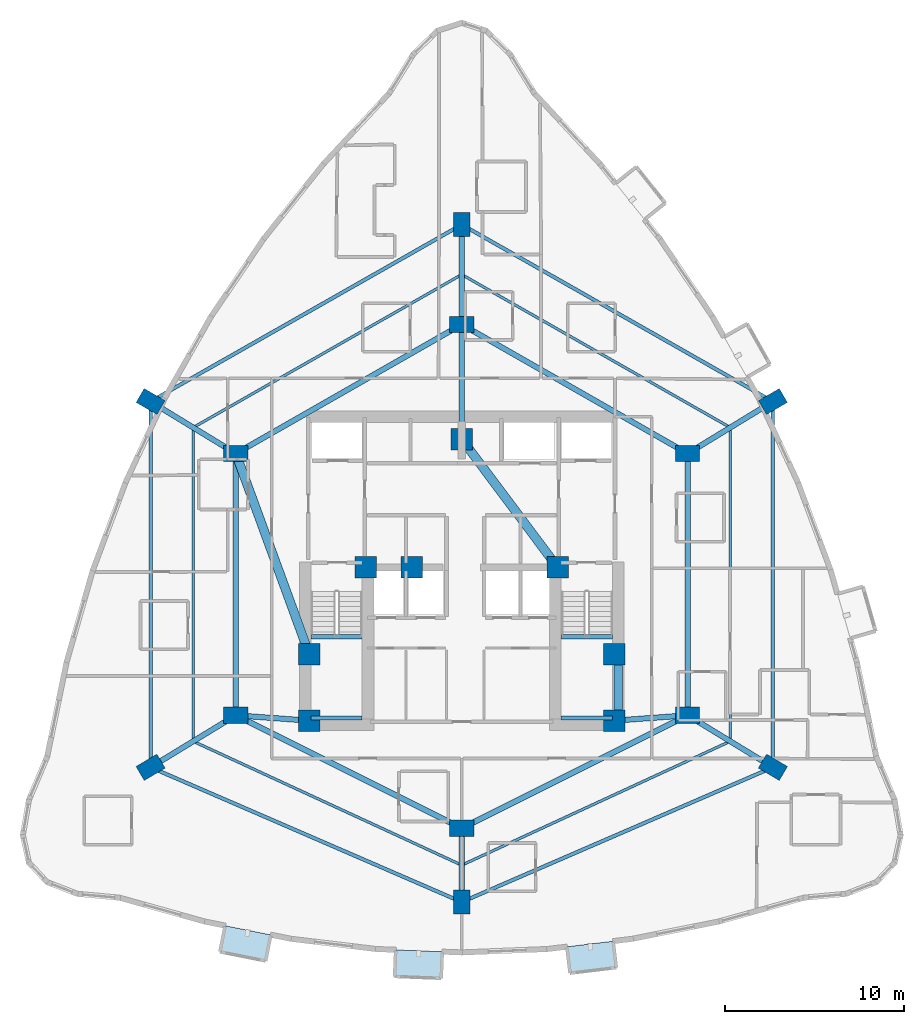
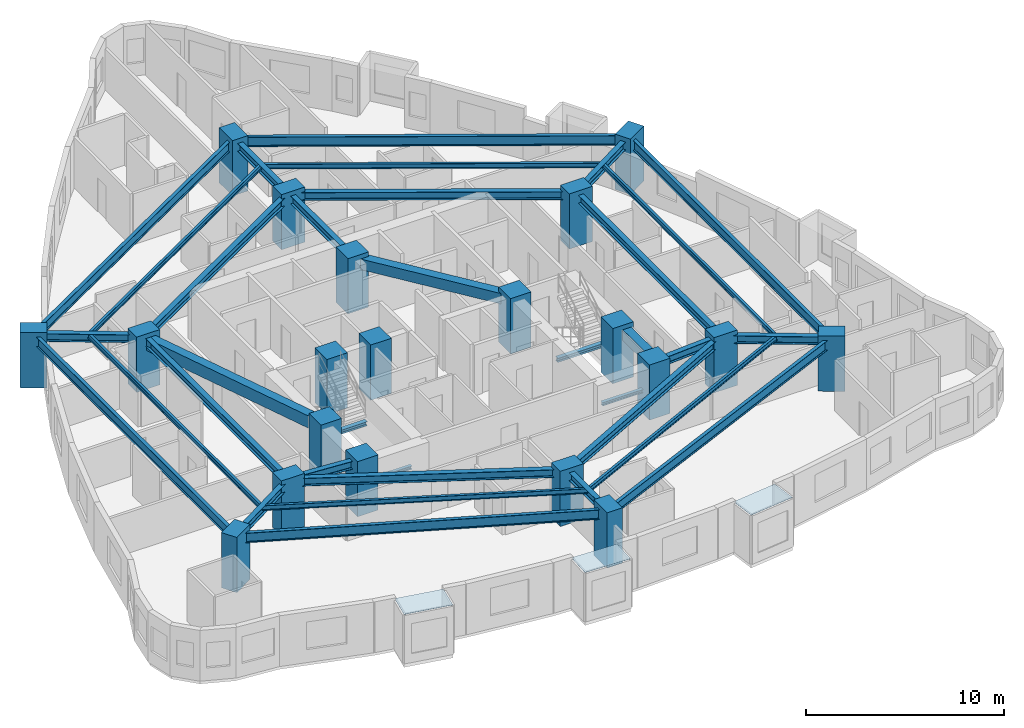
# One storey, part 1 of 13: 34 beams, 20 columns, 3 plates.
"""IFC4 building model written with IfcOpenShell, lengths in metres."""

from ifc_helpers import new_model, si_unit, direction, frame, origin, origin_2d, place, context, subcontext, project, spatial, polyline, rectangle, i_section, outline, extrude, material, layer, layer_set, material_profile, profile_set, type_object, element, save


model = new_model("IFC4")

# Units and contexts
model_context = context("Model", 3, precision=1e-05, world=origin(), true_north=direction((0.0, 1.0)))
body_context = subcontext(model_context, "Body", "Model", "MODEL_VIEW")
ifc_project = project(units=[si_unit("LENGTHUNIT", "METRE"), si_unit("AREAUNIT", "SQUARE_METRE"), si_unit("VOLUMEUNIT", "CUBIC_METRE"), si_unit("PLANEANGLEUNIT", "RADIAN"), si_unit("MASSUNIT", "GRAM", prefix="KILO")], contexts=[model_context])

# Site, building, storey
site_placement = place(None, origin())
site = spatial("IfcSite", under=ifc_project, at=site_placement, CompositionType="ELEMENT")
building_placement = place(site_placement, origin())
building = spatial("IfcBuilding", under=site, at=building_placement, Name="Miruveldt Soraemaru", CompositionType="ELEMENT")
storey_placement = place(building_placement, frame((0.0, 0.0, 63.199951171875)))
storey = spatial("IfcBuildingStorey", under=building, at=storey_placement, Name="L17", CompositionType="ELEMENT", Elevation=63.199951171875)

# Columns
ifc_material_1 = material(Name="Concrete C70/85 (70 MPa)", Category="concrete")
ifc_material_profile_1 = material_profile(ifc_material_1, rectangle(XDim=1.199951171875, YDim=1.199951171875, at=origin_2d()), Name="Concrete C70/85 (70 MPa)", Category="concrete")
ifc_profile_set_1 = profile_set([ifc_material_profile_1], Name="Concrete C70/85 (70 MPa)")
column_type_1 = type_object("IfcColumnType", Name="COL-CORE-1200", PredefinedType="COLUMN", material=ifc_profile_set_1)
for number, where, z_axis, x_axis, name in (
    (1, (35.5, 35.5, 0.0), (0.0, 0.0, 1.0), (1.0, 0.0, 0.0), "L17 Structural Column CC1"),
    (2, (38.64990234375, 44.050048828125, 0.0), (0.0, 0.0, 1.0), (1.0, 0.0, 0.0), "L17 Structural Column CC2"),
    (3, (52.5, 35.5, 0.0), (0.0, 0.0, 1.0), (1.0, 0.0, 0.0), "L17 Structural Column CC3"),
    (4, (52.5, 39.199951171875, 0.0), (0.0, 0.0, 1.0), (1.0, 0.0, 0.0), "L17 Structural Column CC4"),
    (5, (49.35009765625, 44.050048828125, 0.0), (0.0, 0.0, 1.0), (1.0, 0.0, 0.0), "L17 Structural Column CC5"),
    (6, (44.0, 51.199951171875, 0.0), (0.0, 0.0, 1.0), (1.0, 0.0, 0.0), "L17 Structural Column CC6"),
    (7, (35.5, 39.199951171875, 0.0), (0.0, 0.0, 1.0), (1.0, 0.0, 0.0), "L17 Structural Column CC7"),
    (8, (41.199951171875, 44.050048828125, 0.0), (0.0, 0.0, 1.0), (1.0, 0.0, 0.0), "L17 Structural Column CC8"),
):
    element("IfcColumn", number, at=place(storey_placement, frame(where, z_axis=z_axis, x_axis=x_axis)), inside=storey, type_object=column_type_1, Name=name, PredefinedType="COLUMN", context=body_context, shape_type="SweptSolid", body=[
        extrude(rectangle(XDim=1.199951171875, YDim=1.199951171875, at=origin_2d()), origin(), (0.0, 0.0, 1.0), 3.400146484375),
    ])
ifc_material_profile_2 = material_profile(ifc_material_1, rectangle(XDim=1.35009765625, YDim=0.89990234375, at=origin_2d()), Name="Concrete C70/85 (70 MPa)", Category="concrete")
ifc_profile_set_2 = profile_set([ifc_material_profile_2], Name="Concrete C70/85 (70 MPa)")
column_type_2 = type_object("IfcColumnType", Name="COL-TW-Z1B", PredefinedType="COLUMN", material=ifc_profile_set_2)
for number, where, z_axis, x_axis, name in (
    (9, (44.0, 57.60009765625, 0.0), (0.0, 0.0, 1.0), (1.0, 0.0, 0.0), "L17 Structural Column IR01"),
    (10, (56.60009765625, 50.39990234375, 0.0), (0.0, 0.0, 1.0), (1.0, 0.0, 0.0), "L17 Structural Column IR02"),
    (11, (56.60009765625, 35.800048828125, 0.0), (0.0, 0.0, 1.0), (1.0, 0.0, 0.0), "L17 Structural Column IR03"),
    (12, (44.0, 29.5, 0.0), (0.0, 0.0, 1.0), (1.0, 0.0, 0.0), "L17 Structural Column IR04"),
    (13, (31.39990234375, 35.800048828125, 0.0), (0.0, 0.0, 1.0), (1.0, 0.0, 0.0), "L17 Structural Column IR05"),
    (14, (31.39990234375, 50.39990234375, 0.0), (0.0, 0.0, 1.0), (1.0, 0.0, 0.0), "L17 Structural Column IR06"),
    (15, (44.0, 63.16796875, 0.0), (0.0, 0.0, 1.0), (0.0, 1.0, 0.0), "L17 Structural Column Z1P01"),
    (16, (61.35595703125, 53.300048828125, 0.0), (0.0, 0.0, 1.0), (0.864274801954, 0.50301994663, 0.0), "L17 Structural Column Z1P02"),
    (17, (61.35595703125, 32.89990234375, 0.0), (0.0, 0.0, 1.0), (-0.859852271597, 0.510542917912, 0.0), "L17 Structural Column Z1P03"),
    (18, (44.0, 25.382080078125, 0.0), (0.0, 0.0, 1.0), (0.0, 1.0, 0.0), "L17 Structural Column Z1P04"),
    (19, (26.64404296875, 32.89990234375, 0.0), (0.0, 0.0, 1.0), (0.859852271597, 0.510542917912, 0.0), "L17 Structural Column Z1P05"),
    (20, (26.64404296875, 53.300048828125, 0.0), (0.0, 0.0, 1.0), (-0.864274801954, 0.50301994663, 0.0), "L17 Structural Column Z1P06"),
):
    element("IfcColumn", number, at=place(storey_placement, frame(where, z_axis=z_axis, x_axis=x_axis)), inside=storey, type_object=column_type_2, Name=name, PredefinedType="COLUMN", context=body_context, shape_type="SweptSolid", body=[
        extrude(rectangle(XDim=1.35009765625, YDim=0.89990234375, at=origin_2d()), origin(), (0.0, 0.0, 1.0), 3.400146484375),
    ])

# Beams
ifc_material_2 = material(Name="Concrete C50/60 (50 MPa)", Category="concrete")
ifc_material_profile_3 = material_profile(ifc_material_2, rectangle(XDim=0.5, YDim=0.64990234375, at=origin_2d()), Name="Concrete C50/60 (50 MPa)", Category="concrete")
ifc_profile_set_3 = profile_set([ifc_material_profile_3], Name="Concrete C50/60 (50 MPa)")
beam_type_1 = type_object("IfcBeamType", Name="BM-RC-500x650", PredefinedType="BEAM", material=ifc_profile_set_3)
beam_1_placement = place(storey_placement, frame((52.72998046875, 35.5, 2.800048828125), z_axis=(0.0, 1.0, 0.0), x_axis=(-1.0, 0.0, 0.0)))
element("IfcBeam", 21, at=beam_1_placement, inside=storey, type_object=beam_type_1, Name="L17 Core Tie Beam 3", PredefinedType="BEAM", context=body_context, shape_type="SweptSolid", body=[
    extrude(rectangle(XDim=0.5, YDim=0.64990234375, at=origin_2d()), origin(), (0.0, 0.0, 1.0), 3.699951171875),
])
beam_2_placement = place(storey_placement, frame((49.35009765625, 44.050048828125, 2.800048828125), z_axis=(-0.599116023999, 0.800662219533, 0.0), x_axis=(-0.800662219533, -0.599116023999, 0.0)))
element("IfcBeam", 22, at=beam_2_placement, inside=storey, type_object=beam_type_1, Name="L17 Core Tie Beam 5", PredefinedType="BEAM", context=body_context, shape_type="SweptSolid", body=[
    extrude(rectangle(XDim=0.5, YDim=0.64990234375, at=origin_2d()), origin(), (0.0, 0.0, 1.0), 8.929931640625),
])
ifc_material_3 = material(Name="Concrete C40/50 (40 MPa)", Category="concrete")
ifc_material_profile_4 = material_profile(ifc_material_3, rectangle(XDim=0.5, YDim=0.75, at=origin_2d()), Name="Concrete C40/50 (40 MPa)", Category="concrete")
ifc_profile_set_4 = profile_set([ifc_material_profile_4], Name="Concrete C40/50 (40 MPa)")
beam_type_2 = type_object("IfcBeamType", Name="BM-RC-500x750", PredefinedType="LINTEL", material=ifc_profile_set_4)
beam_3_placement = place(storey_placement, frame((31.39990234375, 50.39990234375, 2.75), z_axis=(0.343770424598, -0.939053723262, 0.0), x_axis=(0.939053723262, 0.343770424598, 0.0)))
element("IfcBeam", 23, at=beam_3_placement, inside=storey, type_object=beam_type_2, Name="L17 West Lobby Lintel", PredefinedType="LINTEL", context=body_context, shape_type="SweptSolid", body=[
    extrude(rectangle(XDim=0.5, YDim=0.75, at=origin_2d()), origin(), (0.0, 0.0, 1.0), 11.9267578125),
])
ifc_material_4 = material(Name="Steel SM355 (355 MPa)", Category="steel")
ifc_material_profile_5 = material_profile(ifc_material_4, i_section(OverallWidth=0.14990234375, OverallDepth=0.300048828125, WebThickness=0.006591796875, FlangeThickness=0.009033203125, FilletRadius=0.012939453125, at=origin_2d()), Name="Steel SM355 (355 MPa)", Category="steel")
ifc_profile_set_5 = profile_set([ifc_material_profile_5], Name="Steel SM355 (355 MPa)")
beam_type_3 = type_object("IfcBeamType", Name="BM-ST-H300", PredefinedType="JOIST", material=ifc_profile_set_5)
beam_4_placement = place(storey_placement, frame((44.0, 60.384033203125, 2.97509765625), z_axis=(0.868865604585, -0.495048039254, 0.0), x_axis=(0.495048039254, 0.868865604585, 0.0)))
element("IfcBeam", 24, at=beam_4_placement, inside=storey, type_object=beam_type_3, Name="L17 Outer Bay Floor Joist 1", PredefinedType="JOIST", context=body_context, shape_type="SweptSolid", body=[
    extrude(i_section(OverallWidth=0.14990234375, OverallDepth=0.300048828125, WebThickness=0.006591796875, FlangeThickness=0.009033203125, FilletRadius=0.012939453125, at=origin_2d()), origin(), (0.0, 0.0, 1.0), 17.238525390625),
])
beam_5_placement = place(storey_placement, frame((58.97802734375, 51.85009765625, 2.97509765625), z_axis=(0.0, -1.0, 0.0), x_axis=(1.0, 0.0, 0.0)))
element("IfcBeam", 25, at=beam_5_placement, inside=storey, type_object=beam_type_3, Name="L17 Outer Bay Floor Joist 2", PredefinedType="JOIST", context=body_context, shape_type="SweptSolid", body=[
    extrude(i_section(OverallWidth=0.14990234375, OverallDepth=0.300048828125, WebThickness=0.006591796875, FlangeThickness=0.009033203125, FilletRadius=0.012939453125, at=origin_2d()), origin(), (0.0, 0.0, 1.0), 17.5),
])
for number, where, z_axis, x_axis, name in (
    (26, (58.97802734375, 34.35009765625, 2.97509765625), (-0.908046005539, -0.418870447543, 0.0), (0.418870447543, -0.908046005539, 0.0), "L17 Outer Bay Floor Joist 3"),
    (27, (44.0, 27.44091796875, 2.97509765625), (-0.908046005539, 0.418870447543, 0.0), (-0.418870447543, -0.908046005539, 0.0), "L17 Outer Bay Floor Joist 4"),
):
    element("IfcBeam", number, at=place(storey_placement, frame(where, z_axis=z_axis, x_axis=x_axis)), inside=storey, type_object=beam_type_3, Name=name, PredefinedType="JOIST", context=body_context, shape_type="SweptSolid", body=[
        extrude(i_section(OverallWidth=0.14990234375, OverallDepth=0.300048828125, WebThickness=0.006591796875, FlangeThickness=0.009033203125, FilletRadius=0.012939453125, at=origin_2d()), origin(), (0.0, 0.0, 1.0), 16.494873046875),
    ])
beam_6_placement = place(storey_placement, frame((29.02197265625, 34.35009765625, 2.97509765625), z_axis=(0.0, 1.0, 0.0), x_axis=(-1.0, 0.0, 0.0)))
element("IfcBeam", 28, at=beam_6_placement, inside=storey, type_object=beam_type_3, Name="L17 Outer Bay Floor Joist 5", PredefinedType="JOIST", context=body_context, shape_type="SweptSolid", body=[
    extrude(i_section(OverallWidth=0.14990234375, OverallDepth=0.300048828125, WebThickness=0.006591796875, FlangeThickness=0.009033203125, FilletRadius=0.012939453125, at=origin_2d()), origin(), (0.0, 0.0, 1.0), 17.5),
])
beam_7_placement = place(storey_placement, frame((29.02197265625, 51.85009765625, 2.97509765625), z_axis=(0.868865604585, 0.495048039254, 0.0), x_axis=(-0.495048039254, 0.868865604585, 0.0)))
element("IfcBeam", 29, at=beam_7_placement, inside=storey, type_object=beam_type_3, Name="L17 Outer Bay Floor Joist 6", PredefinedType="JOIST", context=body_context, shape_type="SweptSolid", body=[
    extrude(i_section(OverallWidth=0.14990234375, OverallDepth=0.300048828125, WebThickness=0.006591796875, FlangeThickness=0.009033203125, FilletRadius=0.012939453125, at=origin_2d()), origin(), (0.0, 0.0, 1.0), 17.238525390625),
])
ifc_material_profile_6 = material_profile(ifc_material_4, i_section(OverallWidth=0.300048828125, OverallDepth=0.488037109375, WebThickness=0.010986328125, FlangeThickness=0.01806640625, FilletRadius=0.02587890625, at=origin_2d()), Name="Steel SM355 (355 MPa)", Category="steel")
ifc_profile_set_6 = profile_set([ifc_material_profile_6], Name="Steel SM355 (355 MPa)")
beam_type_4 = type_object("IfcBeamType", Name="BM-ST-H488", PredefinedType="BEAM", material=ifc_profile_set_6)
beam_8_placement = place(storey_placement, frame((44.0, 57.60009765625, 2.881103515625), z_axis=(0.868239001029, -0.496146185203, 0.0), x_axis=(0.496146185203, 0.868239001029, 0.0)))
element("IfcBeam", 30, at=beam_8_placement, inside=storey, type_object=beam_type_4, Name="L17 Inner Ring Girder 1", PredefinedType="BEAM", context=body_context, shape_type="SweptSolid", body=[
    extrude(i_section(OverallWidth=0.300048828125, OverallDepth=0.488037109375, WebThickness=0.010986328125, FlangeThickness=0.01806640625, FilletRadius=0.02587890625, at=origin_2d()), origin(), (0.0, 0.0, 1.0), 14.51220703125),
])
beam_9_placement = place(storey_placement, frame((44.0, 51.199951171875, 2.881103515625), z_axis=(0.0, 1.0, 0.0), x_axis=(-1.0, 0.0, 0.0)))
element("IfcBeam", 31, at=beam_9_placement, inside=storey, type_object=beam_type_4, Name="L17 Core-to-Inner Radial Girder 1", PredefinedType="BEAM", context=body_context, shape_type="SweptSolid", body=[
    extrude(i_section(OverallWidth=0.300048828125, OverallDepth=0.488037109375, WebThickness=0.010986328125, FlangeThickness=0.01806640625, FilletRadius=0.02587890625, at=origin_2d()), origin(), (0.0, 0.0, 1.0), 6.400146484375),
])
beam_10_placement = place(storey_placement, frame((56.60009765625, 50.39990234375, 2.881103515625), z_axis=(0.0, -1.0, 0.0), x_axis=(1.0, 0.0, 0.0)))
element("IfcBeam", 32, at=beam_10_placement, inside=storey, type_object=beam_type_4, Name="L17 Inner Ring Girder 2", PredefinedType="BEAM", context=body_context, shape_type="SweptSolid", body=[
    extrude(i_section(OverallWidth=0.300048828125, OverallDepth=0.488037109375, WebThickness=0.010986328125, FlangeThickness=0.01806640625, FilletRadius=0.02587890625, at=origin_2d()), origin(), (0.0, 0.0, 1.0), 14.599853515625),
])
beam_11_placement = place(storey_placement, frame((56.60009765625, 35.800048828125, 2.881103515625), z_axis=(-0.894427191, -0.4472135955, 0.0), x_axis=(0.4472135955, -0.894427191, 0.0)))
element("IfcBeam", 33, at=beam_11_placement, inside=storey, type_object=beam_type_4, Name="L17 Inner Ring Girder 3", PredefinedType="BEAM", context=body_context, shape_type="SweptSolid", body=[
    extrude(i_section(OverallWidth=0.300048828125, OverallDepth=0.488037109375, WebThickness=0.010986328125, FlangeThickness=0.01806640625, FilletRadius=0.02587890625, at=origin_2d()), origin(), (0.0, 0.0, 1.0), 14.08740234375),
])
beam_12_placement = place(storey_placement, frame((52.5, 35.5, 2.881103515625), z_axis=(0.997332985605, 0.072985723431, 0.0), x_axis=(-0.072985723431, 0.997332985605, 0.0)))
element("IfcBeam", 34, at=beam_12_placement, inside=storey, type_object=beam_type_4, Name="L17 Core-to-Inner Radial Girder 3", PredefinedType="BEAM", context=body_context, shape_type="SweptSolid", body=[
    extrude(i_section(OverallWidth=0.300048828125, OverallDepth=0.488037109375, WebThickness=0.010986328125, FlangeThickness=0.01806640625, FilletRadius=0.02587890625, at=origin_2d()), origin(), (0.0, 0.0, 1.0), 4.111083984375),
])
beam_13_placement = place(storey_placement, frame((44.0, 29.5, 2.881103515625), z_axis=(-0.894427191, 0.4472135955, 0.0), x_axis=(-0.4472135955, -0.894427191, 0.0)))
element("IfcBeam", 35, at=beam_13_placement, inside=storey, type_object=beam_type_4, Name="L17 Inner Ring Girder 4", PredefinedType="BEAM", context=body_context, shape_type="SweptSolid", body=[
    extrude(i_section(OverallWidth=0.300048828125, OverallDepth=0.488037109375, WebThickness=0.010986328125, FlangeThickness=0.01806640625, FilletRadius=0.02587890625, at=origin_2d()), origin(), (0.0, 0.0, 1.0), 14.08740234375),
])
beam_14_placement = place(storey_placement, frame((31.39990234375, 35.800048828125, 2.881103515625), z_axis=(0.0, 1.0, 0.0), x_axis=(-1.0, 0.0, 0.0)))
element("IfcBeam", 36, at=beam_14_placement, inside=storey, type_object=beam_type_4, Name="L17 Inner Ring Girder 5", PredefinedType="BEAM", context=body_context, shape_type="SweptSolid", body=[
    extrude(i_section(OverallWidth=0.300048828125, OverallDepth=0.488037109375, WebThickness=0.010986328125, FlangeThickness=0.01806640625, FilletRadius=0.02587890625, at=origin_2d()), origin(), (0.0, 0.0, 1.0), 14.599853515625),
])
beam_15_placement = place(storey_placement, frame((35.5, 35.5, 2.881103515625), z_axis=(-0.997332985605, 0.072985723431, 0.0), x_axis=(-0.072985723431, -0.997332985605, 0.0)))
element("IfcBeam", 37, at=beam_15_placement, inside=storey, type_object=beam_type_4, Name="L17 Core-to-Inner Radial Girder 5", PredefinedType="BEAM", context=body_context, shape_type="SweptSolid", body=[
    extrude(i_section(OverallWidth=0.300048828125, OverallDepth=0.488037109375, WebThickness=0.010986328125, FlangeThickness=0.01806640625, FilletRadius=0.02587890625, at=origin_2d()), origin(), (0.0, 0.0, 1.0), 4.111083984375),
])
beam_16_placement = place(storey_placement, frame((31.39990234375, 50.39990234375, 2.881103515625), z_axis=(0.868239001029, 0.496146185203, 0.0), x_axis=(-0.496146185203, 0.868239001029, 0.0)))
element("IfcBeam", 38, at=beam_16_placement, inside=storey, type_object=beam_type_4, Name="L17 Inner Ring Girder 6", PredefinedType="BEAM", context=body_context, shape_type="SweptSolid", body=[
    extrude(i_section(OverallWidth=0.300048828125, OverallDepth=0.488037109375, WebThickness=0.010986328125, FlangeThickness=0.01806640625, FilletRadius=0.02587890625, at=origin_2d()), origin(), (0.0, 0.0, 1.0), 14.51220703125),
])
beam_17_placement = place(storey_placement, frame((44.0, 57.60009765625, 2.881103515625), z_axis=(0.0, 1.0, 0.0), x_axis=(-1.0, 0.0, 0.0)))
element("IfcBeam", 39, at=beam_17_placement, inside=storey, type_object=beam_type_4, Name="L17 Zone-1 Radial Girder 1", PredefinedType="BEAM", context=body_context, shape_type="SweptSolid", body=[
    extrude(i_section(OverallWidth=0.300048828125, OverallDepth=0.488037109375, WebThickness=0.010986328125, FlangeThickness=0.01806640625, FilletRadius=0.02587890625, at=origin_2d()), origin(), (0.0, 0.0, 1.0), 5.56787109375),
])
for number, where, z_axis, x_axis, name in (
    (40, (56.60009765625, 50.39990234375, 2.881103515625), (0.853777644156, 0.520637814935, 0.0), (-0.520637814935, 0.853777644156, 0.0), "L17 Zone-1 Radial Girder 2"),
    (41, (56.60009765625, 35.800048828125, 2.881103515625), (0.853777644156, -0.520637814935, 0.0), (0.520637814935, 0.853777644156, 0.0), "L17 Zone-1 Radial Girder 3"),
):
    element("IfcBeam", number, at=place(storey_placement, frame(where, z_axis=z_axis, x_axis=x_axis)), inside=storey, type_object=beam_type_4, Name=name, PredefinedType="BEAM", context=body_context, shape_type="SweptSolid", body=[
        extrude(i_section(OverallWidth=0.300048828125, OverallDepth=0.488037109375, WebThickness=0.010986328125, FlangeThickness=0.01806640625, FilletRadius=0.02587890625, at=origin_2d()), origin(), (0.0, 0.0, 1.0), 5.5703125),
    ])
beam_18_placement = place(storey_placement, frame((44.0, 29.5, 2.881103515625), z_axis=(0.0, -1.0, 0.0), x_axis=(1.0, 0.0, 0.0)))
element("IfcBeam", 42, at=beam_18_placement, inside=storey, type_object=beam_type_4, Name="L17 Zone-1 Radial Girder 4", PredefinedType="BEAM", context=body_context, shape_type="SweptSolid", body=[
    extrude(i_section(OverallWidth=0.300048828125, OverallDepth=0.488037109375, WebThickness=0.010986328125, FlangeThickness=0.01806640625, FilletRadius=0.02587890625, at=origin_2d()), origin(), (0.0, 0.0, 1.0), 4.117919921875),
])
for number, where, z_axis, x_axis, name in (
    (43, (31.39990234375, 35.800048828125, 2.881103515625), (-0.853777644156, -0.520637814935, 0.0), (0.520637814935, -0.853777644156, 0.0), "L17 Zone-1 Radial Girder 5"),
    (44, (31.39990234375, 50.39990234375, 2.881103515625), (-0.853777644156, 0.520637814935, 0.0), (-0.520637814935, -0.853777644156, 0.0), "L17 Zone-1 Radial Girder 6"),
):
    element("IfcBeam", number, at=place(storey_placement, frame(where, z_axis=z_axis, x_axis=x_axis)), inside=storey, type_object=beam_type_4, Name=name, PredefinedType="BEAM", context=body_context, shape_type="SweptSolid", body=[
        extrude(i_section(OverallWidth=0.300048828125, OverallDepth=0.488037109375, WebThickness=0.010986328125, FlangeThickness=0.01806640625, FilletRadius=0.02587890625, at=origin_2d()), origin(), (0.0, 0.0, 1.0), 5.5703125),
    ])
ifc_material_profile_7 = material_profile(ifc_material_4, i_section(OverallWidth=0.199951171875, OverallDepth=0.60009765625, WebThickness=0.010986328125, FlangeThickness=0.01708984375, FilletRadius=0.02197265625, at=origin_2d()), Name="Steel SM355 (355 MPa)", Category="steel")
ifc_profile_set_7 = profile_set([ifc_material_profile_7], Name="Steel SM355 (355 MPa)")
beam_type_5 = type_object("IfcBeamType", Name="BM-ST-H600", PredefinedType="SPANDREL", material=ifc_profile_set_7)
beam_19_placement = place(storey_placement, frame((44.0, 63.16796875, 2.824951171875), z_axis=(0.869314947608, -0.494258557706, 0.0), x_axis=(0.494258557706, 0.869314947608, 0.0)))
element("IfcBeam", 45, at=beam_19_placement, inside=storey, type_object=beam_type_5, Name="L17 Zone-1 Spandrel Beam 1", PredefinedType="SPANDREL", context=body_context, shape_type="SweptSolid", body=[
    extrude(i_section(OverallWidth=0.199951171875, OverallDepth=0.60009765625, WebThickness=0.010986328125, FlangeThickness=0.01708984375, FilletRadius=0.02197265625, at=origin_2d()), origin(), (0.0, 0.0, 1.0), 19.965087890625),
])
beam_20_placement = place(storey_placement, frame((61.35595703125, 53.300048828125, 2.824951171875), z_axis=(0.0, -1.0, 0.0), x_axis=(1.0, 0.0, 0.0)))
element("IfcBeam", 46, at=beam_20_placement, inside=storey, type_object=beam_type_5, Name="L17 Zone-1 Spandrel Beam 2", PredefinedType="SPANDREL", context=body_context, shape_type="SweptSolid", body=[
    extrude(i_section(OverallWidth=0.199951171875, OverallDepth=0.60009765625, WebThickness=0.010986328125, FlangeThickness=0.01708984375, FilletRadius=0.02197265625, at=origin_2d()), origin(), (0.0, 0.0, 1.0), 20.400146484375),
])
for number, where, z_axis, x_axis, name in (
    (47, (61.35595703125, 32.89990234375, 2.824951171875), (-0.917615263736, -0.397469782195, 0.0), (0.397469782195, -0.917615263736, 0.0), "L17 Zone-1 Spandrel Beam 3"),
    (48, (44.0, 25.382080078125, 2.824951171875), (-0.917615263736, 0.397469782195, 0.0), (-0.397469782195, -0.917615263736, 0.0), "L17 Zone-1 Spandrel Beam 4"),
):
    element("IfcBeam", number, at=place(storey_placement, frame(where, z_axis=z_axis, x_axis=x_axis)), inside=storey, type_object=beam_type_5, Name=name, PredefinedType="SPANDREL", context=body_context, shape_type="SweptSolid", body=[
        extrude(i_section(OverallWidth=0.199951171875, OverallDepth=0.60009765625, WebThickness=0.010986328125, FlangeThickness=0.01708984375, FilletRadius=0.02197265625, at=origin_2d()), origin(), (0.0, 0.0, 1.0), 18.914306640625),
    ])
beam_21_placement = place(storey_placement, frame((26.64404296875, 32.89990234375, 2.824951171875), z_axis=(0.0, 1.0, 0.0), x_axis=(-1.0, 0.0, 0.0)))
element("IfcBeam", 49, at=beam_21_placement, inside=storey, type_object=beam_type_5, Name="L17 Zone-1 Spandrel Beam 5", PredefinedType="SPANDREL", context=body_context, shape_type="SweptSolid", body=[
    extrude(i_section(OverallWidth=0.199951171875, OverallDepth=0.60009765625, WebThickness=0.010986328125, FlangeThickness=0.01708984375, FilletRadius=0.02197265625, at=origin_2d()), origin(), (0.0, 0.0, 1.0), 20.400146484375),
])
beam_22_placement = place(storey_placement, frame((26.64404296875, 53.300048828125, 2.824951171875), z_axis=(0.869314947608, 0.494258557706, 0.0), x_axis=(-0.494258557706, 0.869314947608, 0.0)))
element("IfcBeam", 50, at=beam_22_placement, inside=storey, type_object=beam_type_5, Name="L17 Zone-1 Spandrel Beam 6", PredefinedType="SPANDREL", context=body_context, shape_type="SweptSolid", body=[
    extrude(i_section(OverallWidth=0.199951171875, OverallDepth=0.60009765625, WebThickness=0.010986328125, FlangeThickness=0.01708984375, FilletRadius=0.02197265625, at=origin_2d()), origin(), (0.0, 0.0, 1.0), 19.965087890625),
])
ifc_material_profile_8 = material_profile(ifc_material_4, i_section(OverallWidth=0.199951171875, OverallDepth=0.199951171875, WebThickness=0.008056640625, FlangeThickness=0.011962890625, FilletRadius=0.012939453125, at=origin_2d()), Name="Steel SM355 (355 MPa)", Category="steel")
ifc_profile_set_8 = profile_set([ifc_material_profile_8], Name="Steel SM355 (355 MPa)")
beam_type_6 = type_object("IfcBeamType", Name="BM-ST-LND200", PredefinedType="BEAM", material=ifc_profile_set_8)
for number, where, z_axis, x_axis, name in (
    (51, (35.60009765625, 35.64990234375, 1.400146484375), (1.0, 0.0, 0.0), (0.0, 1.0, 0.0), "L17 ST1 Landing End Beam 1B"),
    (52, (49.550048828125, 35.64990234375, 1.400146484375), (1.0, 0.0, 0.0), (0.0, 1.0, 0.0), "L17 ST2 Landing End Beam 1B"),
):
    element("IfcBeam", number, at=place(storey_placement, frame(where, z_axis=z_axis, x_axis=x_axis)), inside=storey, type_object=beam_type_6, Name=name, PredefinedType="BEAM", context=body_context, shape_type="SweptSolid", body=[
        extrude(i_section(OverallWidth=0.199951171875, OverallDepth=0.199951171875, WebThickness=0.008056640625, FlangeThickness=0.011962890625, FilletRadius=0.012939453125, at=origin_2d()), origin(), (0.0, 0.0, 1.0), 2.849853515625),
    ])
ifc_material_profile_9 = material_profile(ifc_material_4, i_section(OverallWidth=0.25, OverallDepth=0.25, WebThickness=0.009033203125, FlangeThickness=0.013916015625, FilletRadius=0.01611328125, at=origin_2d()), Name="Steel SM355 (355 MPa)", Category="steel")
ifc_profile_set_9 = profile_set([ifc_material_profile_9], Name="Steel SM355 (355 MPa)")
beam_type_7 = type_object("IfcBeamType", Name="BM-ST-LND250", PredefinedType="BEAM", material=ifc_profile_set_9)
for number, where, z_axis, x_axis, name in (
    (53, (35.60009765625, 40.179931640625, 1.375), (1.0, 0.0, 0.0), (0.0, 1.0, 0.0), "L17 ST1 Landing Support Beam 1A"),
    (54, (49.550048828125, 40.179931640625, 1.375), (1.0, 0.0, 0.0), (0.0, 1.0, 0.0), "L17 ST2 Landing Support Beam 1A"),
):
    element("IfcBeam", number, at=place(storey_placement, frame(where, z_axis=z_axis, x_axis=x_axis)), inside=storey, type_object=beam_type_7, Name=name, PredefinedType="BEAM", context=body_context, shape_type="SweptSolid", body=[
        extrude(i_section(OverallWidth=0.25, OverallDepth=0.25, WebThickness=0.009033203125, FlangeThickness=0.013916015625, FilletRadius=0.01611328125, at=origin_2d()), origin(), (0.0, 0.0, 1.0), 2.849853515625),
    ])

# Plates
ifc_material_5 = material(Name="Standing-seam titanium-zinc sheet", Category="aluminium")
ifc_layer = layer(ifc_material_5, 0.011962890625, Name="Standing-seam titanium-zinc sheet", Category="aluminium")
ifc_layer_set = layer_set([ifc_layer], Name="Standing-seam titanium-zinc sheet")
plate_type = type_object("IfcPlateType", Name="PLT-ZINC-12", PredefinedType="SHEET", material=ifc_layer_set)
plate_1_placement = place(storey_placement, frame((0.0, 0.0, 2.97509765625)))
element("IfcPlate", 55, at=plate_1_placement, inside=storey, type_object=plate_type, Name="L17 Bay Window Zinc Hood Sheet 1", PredefinedType="SHEET", context=body_context, shape_type="SweptSolid", body=[
    extrude(outline(polyline([(30.802490234375, 24.06103515625), (33.35205078125, 23.551025390625), (33.061767578125, 22.099609375), (30.51220703125, 22.609619140625), (30.802490234375, 24.06103515625)])), origin(), (0.0, 0.0, 1.0), 0.011962890625),
])
plate_2_placement = place(storey_placement, frame((0.0, 0.0, 2.97509765625)))
element("IfcPlate", 56, at=plate_2_placement, inside=storey, type_object=plate_type, Name="L17 Bay Window Zinc Hood Sheet 2", PredefinedType="SHEET", context=body_context, shape_type="SweptSolid", body=[
    extrude(outline(polyline([(40.31640625, 22.71337890625), (42.914306640625, 22.609375), (42.855224609375, 21.130615234375), (40.25732421875, 21.234619140625), (40.31640625, 22.71337890625)])), origin(), (0.0, 0.0, 1.0), 0.011962890625),
])
plate_3_placement = place(storey_placement, frame((0.0, 0.0, 2.97509765625)))
element("IfcPlate", 57, at=plate_3_placement, inside=storey, type_object=plate_type, Name="L17 Bay Window Zinc Hood Sheet 3", PredefinedType="SHEET", context=body_context, shape_type="SweptSolid", body=[
    extrude(outline(polyline([(49.86279296875, 22.88818359375), (52.4443359375, 23.19775390625), (52.62060546875, 21.728271484375), (50.039306640625, 21.418701171875), (49.86279296875, 22.88818359375)])), origin(), (0.0, 0.0, 1.0), 0.011962890625),
])

save(model, "model.ifc")
